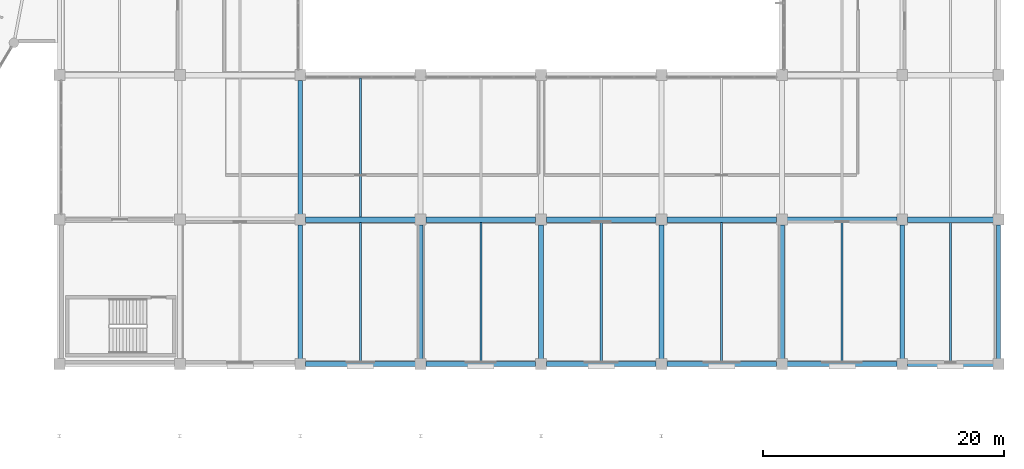
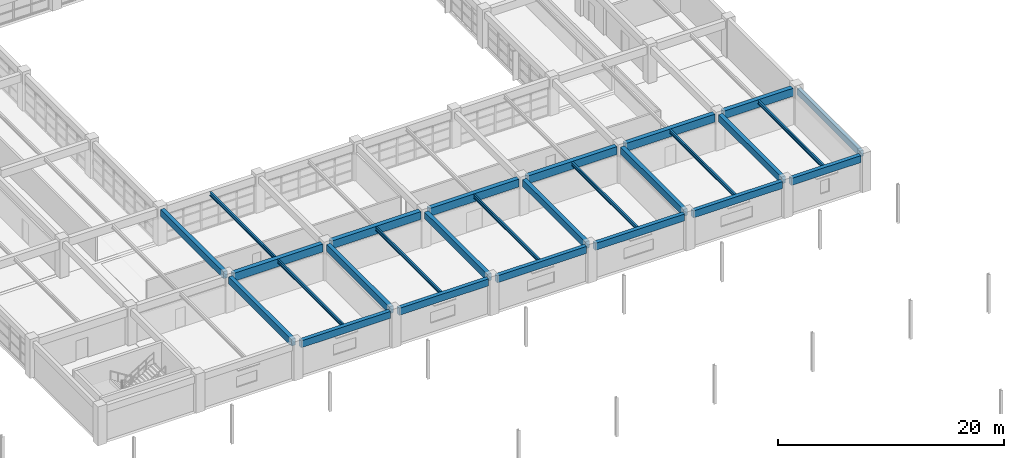
# One storey, part 50 of 100: 27 beams.
"""IFC4 building model written with IfcOpenShell, lengths in metres."""

from ifc_helpers import new_model, si_unit, direction, frame, origin, origin_2d, place, context, subcontext, project, spatial, rectangle, i_section, extrude, material, material_profile, profile_set, type_object, element, save


model = new_model("IFC4")

# Units and contexts
model_context = context("Model", 3, precision=1e-05, world=origin(), true_north=direction((0.0, 1.0)))
body_context = subcontext(model_context, "Body", "Model", "MODEL_VIEW")
ifc_project = project(units=[si_unit("LENGTHUNIT", "METRE"), si_unit("AREAUNIT", "SQUARE_METRE"), si_unit("VOLUMEUNIT", "CUBIC_METRE"), si_unit("PLANEANGLEUNIT", "RADIAN"), si_unit("MASSUNIT", "GRAM", prefix="KILO")], contexts=[model_context])

# Site, building, storey
site_placement = place(None, origin())
site = spatial("IfcSite", under=ifc_project, at=site_placement, CompositionType="ELEMENT")
building_placement = place(site_placement, origin())
building = spatial("IfcBuilding", under=site, at=building_placement, Name="Kivolera Central Railway Station", CompositionType="ELEMENT")
storey_placement = place(building_placement, frame((0.0, 0.0, 5.39990234375)))
storey = spatial("IfcBuildingStorey", under=building, at=storey_placement, Name="L01", CompositionType="ELEMENT", Elevation=5.39990234375)

# Beams
ifc_material_1 = material(Name="Steel S355", Category="steel")
ifc_material_profile_1 = material_profile(ifc_material_1, i_section(OverallWidth=0.179931640625, OverallDepth=0.39990234375, WebThickness=0.008544921875, FlangeThickness=0.013427734375, FilletRadius=0.02099609375, at=origin_2d()), Name="IPE 400")
ifc_profile_set_1 = profile_set([ifc_material_profile_1], Name="Steel S355")
beam_type_1 = type_object("IfcBeamType", Name="BM-JST-IPE400", PredefinedType="JOIST", material=ifc_profile_set_1)
beam_1_placement = place(storey_placement, frame((143.0, 54.19189453125, 3.668212890625), z_axis=(0.0, 1.0, 0.0), x_axis=(-1.0, 0.0, 0.0)))
element("IfcBeam", 1, at=beam_1_placement, inside=storey, type_object=beam_type_1, Name="L01 Floor Joist 14-15/E-F", PredefinedType="JOIST", context=body_context, shape_type="SweptSolid", body=[
    extrude(i_section(OverallWidth=0.179931640625, OverallDepth=0.39990234375, WebThickness=0.008544921875, FlangeThickness=0.013427734375, FilletRadius=0.02099609375, at=origin_2d()), origin(), (0.0, 0.0, 1.0), 11.591064453125),
])
beam_2_placement = place(storey_placement, frame((143.0, 66.217041015625, 3.668212890625), z_axis=(0.0, 1.0, 0.0), x_axis=(-1.0, 0.0, 0.0)))
element("IfcBeam", 2, at=beam_2_placement, inside=storey, type_object=beam_type_1, Name="L01 Floor Joist 14-15/F-G", PredefinedType="JOIST", context=body_context, shape_type="SweptSolid", body=[
    extrude(i_section(OverallWidth=0.179931640625, OverallDepth=0.39990234375, WebThickness=0.008544921875, FlangeThickness=0.013427734375, FilletRadius=0.02099609375, at=origin_2d()), origin(), (0.0, 0.0, 1.0), 11.56591796875),
])
for number, where, z_axis, x_axis, name in (
    (3, (153.0, 54.19189453125, 3.668212890625), (0.0, 1.0, 0.0), (-1.0, 0.0, 0.0), "L01 Floor Joist 15-16/E-F"),
    (4, (163.0, 54.19189453125, 3.668212890625), (0.0, 1.0, 0.0), (-1.0, 0.0, 0.0), "L01 Floor Joist 16-17/E-F"),
    (5, (173.0, 54.19189453125, 3.668212890625), (0.0, 1.0, 0.0), (-1.0, 0.0, 0.0), "L01 Floor Joist 17-18/E-F"),
    (6, (183.0, 54.19189453125, 3.668212890625), (0.0, 1.0, 0.0), (-1.0, 0.0, 0.0), "L01 Floor Joist 18-19/E-F"),
    (7, (192.0, 54.19189453125, 3.668212890625), (0.0, 1.0, 0.0), (-1.0, 0.0, 0.0), "L01 Floor Joist 19-20/E-F"),
):
    element("IfcBeam", number, at=place(storey_placement, frame(where, z_axis=z_axis, x_axis=x_axis)), inside=storey, type_object=beam_type_1, Name=name, PredefinedType="JOIST", context=body_context, shape_type="SweptSolid", body=[
        extrude(i_section(OverallWidth=0.179931640625, OverallDepth=0.39990234375, WebThickness=0.008544921875, FlangeThickness=0.013427734375, FilletRadius=0.02099609375, at=origin_2d()), origin(), (0.0, 0.0, 1.0), 11.591064453125),
    ])
ifc_material_2 = material(Name="Concrete C40/50", Category="concrete")
ifc_material_profile_2 = material_profile(ifc_material_2, rectangle(XDim=0.39990234375, YDim=0.75, at=origin_2d()), Name="RC 400x750")
ifc_profile_set_2 = profile_set([ifc_material_profile_2], Name="Concrete C40/50")
beam_type_2 = type_object("IfcBeamType", Name="BM-RC-400x750", PredefinedType="BEAM", material=ifc_profile_set_2)
for number, where, z_axis, x_axis, name in (
    (8, (138.0, 54.44189453125, 3.505126953125), (0.0, 1.0, 0.0), (-1.0, 0.0, 0.0), "L01 Wing Y-Beam 14:E-F"),
    (9, (138.0, 66.44189453125, 3.505126953125), (0.0, 1.0, 0.0), (-1.0, 0.0, 0.0), "L01 Wing Y-Beam 14:F-G"),
    (10, (148.0, 54.44189453125, 3.505126953125), (0.0, 1.0, 0.0), (-1.0, 0.0, 0.0), "L01 Wing Y-Beam 15:E-F"),
    (11, (158.0, 54.44189453125, 3.505126953125), (0.0, 1.0, 0.0), (-1.0, 0.0, 0.0), "L01 Wing Y-Beam 16:E-F"),
    (12, (168.0, 54.44189453125, 3.505126953125), (0.0, 1.0, 0.0), (-1.0, 0.0, 0.0), "L01 Wing Y-Beam 17:E-F"),
    (13, (178.0, 54.44189453125, 3.505126953125), (0.0, 1.0, 0.0), (-1.0, 0.0, 0.0), "L01 Wing Y-Beam 18:E-F"),
    (14, (188.0, 54.44189453125, 3.505126953125), (0.0, 1.0, 0.0), (-1.0, 0.0, 0.0), "L01 Wing Y-Beam 19:E-F"),
):
    element("IfcBeam", number, at=place(storey_placement, frame(where, z_axis=z_axis, x_axis=x_axis)), inside=storey, type_object=beam_type_2, Name=name, PredefinedType="BEAM", context=body_context, shape_type="SweptSolid", body=[
        extrude(rectangle(XDim=0.39990234375, YDim=0.75, at=origin_2d()), origin(), (0.0, 0.0, 1.0), 11.1162109375),
    ])
ifc_material_profile_3 = material_profile(ifc_material_2, rectangle(XDim=0.449951171875, YDim=0.85009765625, at=origin_2d()), Name="RC 450x850")
ifc_profile_set_3 = profile_set([ifc_material_profile_3], Name="Concrete C40/50")
beam_type_3 = type_object("IfcBeamType", Name="BM-RC-450x850", PredefinedType="BEAM", material=ifc_profile_set_3)
for number, where, z_axis, x_axis, name in (
    (15, (138.44189453125, 66.0, 3.455078125), (1.0, 0.0, 0.0), (0.0, 1.0, 0.0), "L01 Wing X-Beam F:14-15"),
    (16, (148.44189453125, 66.0, 3.455078125), (1.0, 0.0, 0.0), (0.0, 1.0, 0.0), "L01 Wing X-Beam F:15-16"),
    (17, (158.44189453125, 66.0, 3.455078125), (1.0, 0.0, 0.0), (0.0, 1.0, 0.0), "L01 Wing X-Beam F:16-17"),
    (18, (168.44189453125, 66.0, 3.455078125), (1.0, 0.0, 0.0), (0.0, 1.0, 0.0), "L01 Wing X-Beam F:17-18"),
    (19, (178.44189453125, 66.0, 3.455078125), (1.0, 0.0, 0.0), (0.0, 1.0, 0.0), "L01 Wing X-Beam F:18-19"),
):
    element("IfcBeam", number, at=place(storey_placement, frame(where, z_axis=z_axis, x_axis=x_axis)), inside=storey, type_object=beam_type_3, Name=name, PredefinedType="BEAM", context=body_context, shape_type="SweptSolid", body=[
        extrude(rectangle(XDim=0.449951171875, YDim=0.85009765625, at=origin_2d()), origin(), (0.0, 0.0, 1.0), 9.1162109375),
    ])
beam_3_placement = place(storey_placement, frame((188.44189453125, 66.0, 3.455078125), z_axis=(1.0, 0.0, 0.0), x_axis=(0.0, 1.0, 0.0)))
element("IfcBeam", 20, at=beam_3_placement, inside=storey, type_object=beam_type_3, Name="L01 Wing X-Beam F:19-20", PredefinedType="BEAM", context=body_context, shape_type="SweptSolid", body=[
    extrude(rectangle(XDim=0.449951171875, YDim=0.85009765625, at=origin_2d()), origin(), (0.0, 0.0, 1.0), 7.1162109375),
])
ifc_material_profile_4 = material_profile(ifc_material_2, rectangle(XDim=0.35009765625, YDim=0.64990234375, at=origin_2d()), Name="RC 350x650")
ifc_profile_set_4 = profile_set([ifc_material_profile_4], Name="Concrete C40/50")
beam_type_4 = type_object("IfcBeamType", Name="BM-SPN-RC650", PredefinedType="SPANDREL", material=ifc_profile_set_4)
beam_4_placement = place(storey_placement, frame((196.0, 54.44189453125, 3.55517578125), z_axis=(0.0, 1.0, 0.0), x_axis=(-1.0, 0.0, 0.0)))
element("IfcBeam", 21, at=beam_4_placement, inside=storey, type_object=beam_type_4, Name="L01 Wing Y-Beam 20:E-F", PredefinedType="SPANDREL", context=body_context, shape_type="SweptSolid", body=[
    extrude(rectangle(XDim=0.35009765625, YDim=0.64990234375, at=origin_2d()), origin(), (0.0, 0.0, 1.0), 11.1162109375),
])
ifc_material_profile_5 = material_profile(ifc_material_2, rectangle(XDim=0.39990234375, YDim=0.75, at=origin_2d()), Name="RC 400x750")
ifc_profile_set_5 = profile_set([ifc_material_profile_5], Name="Concrete C40/50")
beam_type_5 = type_object("IfcBeamType", Name="BM-SPN-RC750", PredefinedType="SPANDREL", material=ifc_profile_set_5)
for number, where, z_axis, x_axis, name in (
    (22, (138.44189453125, 54.0, 3.505126953125), (1.0, 0.0, 0.0), (0.0, 1.0, 0.0), "L01 Wing X-Beam E:14-15"),
    (23, (148.44189453125, 54.0, 3.505126953125), (1.0, 0.0, 0.0), (0.0, 1.0, 0.0), "L01 Wing X-Beam E:15-16"),
    (24, (158.44189453125, 54.0, 3.505126953125), (1.0, 0.0, 0.0), (0.0, 1.0, 0.0), "L01 Wing X-Beam E:16-17"),
    (25, (168.44189453125, 54.0, 3.505126953125), (1.0, 0.0, 0.0), (0.0, 1.0, 0.0), "L01 Wing X-Beam E:17-18"),
    (26, (178.44189453125, 54.0, 3.505126953125), (1.0, 0.0, 0.0), (0.0, 1.0, 0.0), "L01 Wing X-Beam E:18-19"),
):
    element("IfcBeam", number, at=place(storey_placement, frame(where, z_axis=z_axis, x_axis=x_axis)), inside=storey, type_object=beam_type_5, Name=name, PredefinedType="SPANDREL", context=body_context, shape_type="SweptSolid", body=[
        extrude(rectangle(XDim=0.39990234375, YDim=0.75, at=origin_2d()), origin(), (0.0, 0.0, 1.0), 9.1162109375),
    ])
beam_5_placement = place(storey_placement, frame((188.44189453125, 54.0, 3.505126953125), z_axis=(1.0, 0.0, 0.0), x_axis=(0.0, 1.0, 0.0)))
element("IfcBeam", 27, at=beam_5_placement, inside=storey, type_object=beam_type_5, Name="L01 Wing X-Beam E:19-20", PredefinedType="SPANDREL", context=body_context, shape_type="SweptSolid", body=[
    extrude(rectangle(XDim=0.39990234375, YDim=0.75, at=origin_2d()), origin(), (0.0, 0.0, 1.0), 7.1162109375),
])

save(model, "model.ifc")
